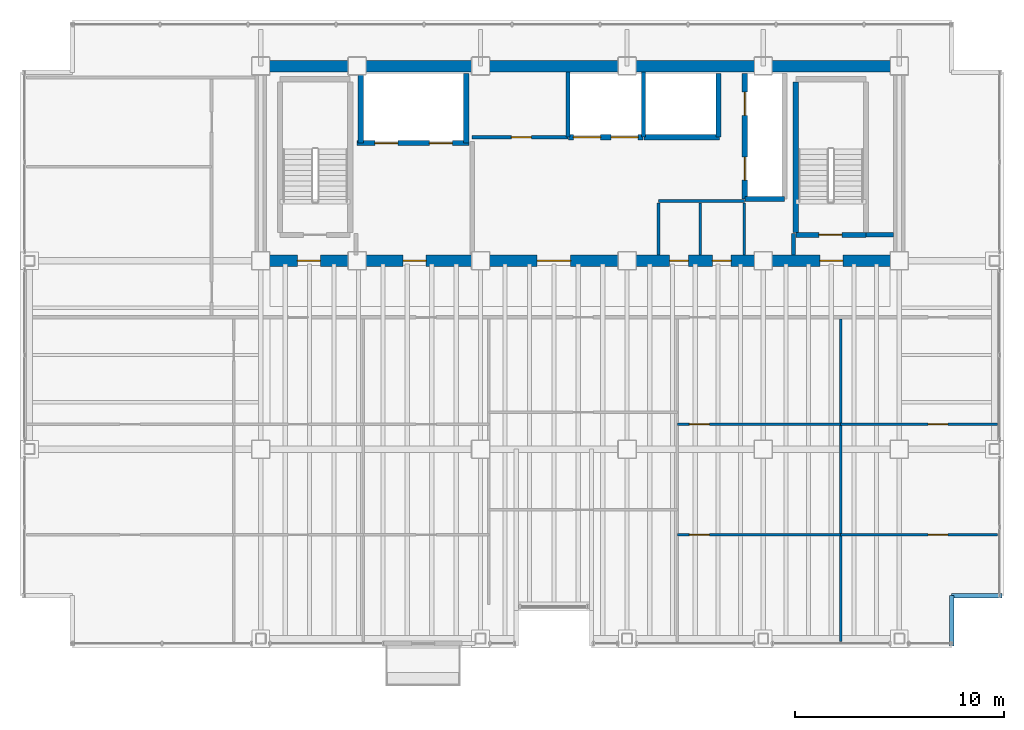
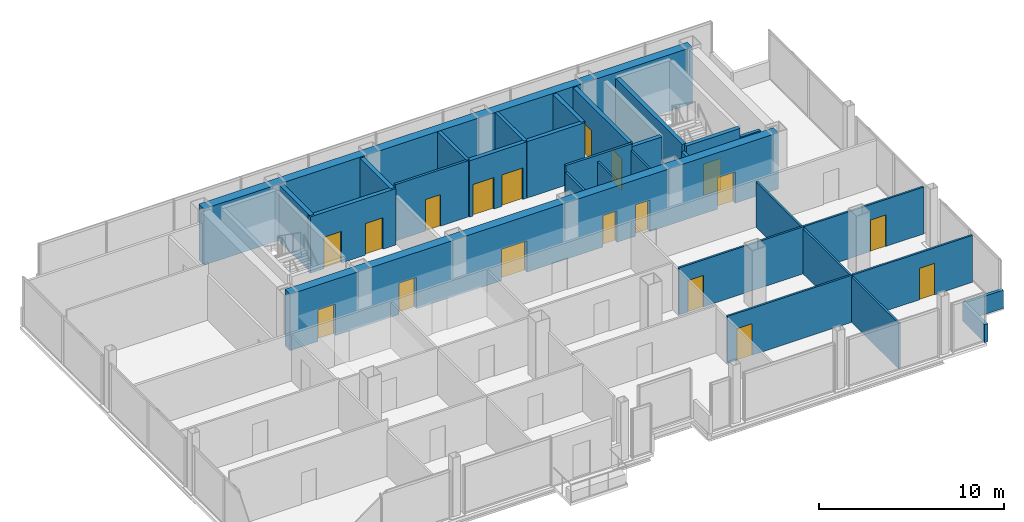
# One storey, part 20 of 22: 28 walls, 18 doors, 18 openings.
"""IFC4 building model written with IfcOpenShell, lengths in metres."""

from ifc_helpers import new_model, si_unit, direction, frame, frame_2d, origin, place, context, subcontext, project, spatial, rectangle, extrude, material, layer, layer_set, type_object, element, fill, save


model = new_model("IFC4")

# Units and contexts
model_context = context("Model", 3, precision=1e-05, world=origin(), true_north=direction((0.0, 1.0)))
body_context = subcontext(model_context, "Body", "Model", "MODEL_VIEW")
ifc_project = project(units=[si_unit("LENGTHUNIT", "METRE"), si_unit("AREAUNIT", "SQUARE_METRE"), si_unit("VOLUMEUNIT", "CUBIC_METRE"), si_unit("PLANEANGLEUNIT", "RADIAN"), si_unit("MASSUNIT", "GRAM", prefix="KILO")], contexts=[model_context])

# Site, building, storey
site_placement = place(None, origin())
site = spatial("IfcSite", under=ifc_project, at=site_placement, CompositionType="ELEMENT")
building_placement = place(site_placement, origin())
building = spatial("IfcBuilding", under=site, at=building_placement, Name="Noeulbin Bourse Tower", CompositionType="ELEMENT")
storey_placement = place(building_placement, frame((0.0, 0.0, 130.5)))
storey = spatial("IfcBuildingStorey", under=building, at=storey_placement, Name="L32", CompositionType="ELEMENT", Elevation=130.5)

# Wall, openings, doors
ifc_material_1 = material(Name="Concrete C60/75", Category="concrete")
ifc_layer_1 = layer(ifc_material_1, 0.550048828125)
ifc_layer_set_1 = layer_set([ifc_layer_1], Name="Concrete C60/75")
wall_type_1 = type_object("IfcWallType", Name="WAL-CORE-550", PredefinedType="SHEAR", material=ifc_layer_set_1)
wall_1_placement = place(storey_placement, frame((13.5, 29.0, 0.0), z_axis=(0.0, 0.0, 1.0), x_axis=(1.0, 0.0, 0.0)))
wall_1 = element("IfcWall", 1, at=wall_1_placement, inside=storey, type_object=wall_type_1, Name="Rear Core South Shear Wall L32", PredefinedType="SHEAR", context=body_context, shape_type="SweptSolid", body=[
    extrude(rectangle(XDim=30.5, YDim=0.550048828125, at=frame_2d((15.25, 0.0))), origin(), (0.0, 0.0, 1.0), 3.719970703125),
])
opening_1_placement = place(wall_1_placement, frame((1.75, 0.0, 0.0)))
opening_1 = element("IfcOpeningElement", 2, at=opening_1_placement, cuts=wall_1, Name="Opening FD-11", PredefinedType="OPENING", context=body_context, shape_type="SweptSolid", body=[
    extrude(rectangle(XDim=1.10009765625, YDim=2.080078125, at=frame_2d((0.550048828125, 1.0400390625))), frame((0.0, 0.284912109375, 0.0), z_axis=(0.0, -1.0, 0.0), x_axis=(1.0, 0.0, 0.0)), (0.0, 0.0, 1.0), 0.570068359375),
])
opening_2_placement = place(wall_1_placement, frame((26.699951171875, 0.0, 0.0)))
opening_2 = element("IfcOpeningElement", 3, at=opening_2_placement, cuts=wall_1, Name="Opening FD-11", PredefinedType="OPENING", context=body_context, shape_type="SweptSolid", body=[
    extrude(rectangle(XDim=1.10009765625, YDim=2.080078125, at=frame_2d((0.550048828125, 1.0400390625))), frame((0.0, 0.284912109375, 0.0), z_axis=(0.0, -1.0, 0.0), x_axis=(1.0, 0.0, 0.0)), (0.0, 0.0, 1.0), 0.570068359375),
])
opening_3_placement = place(wall_1_placement, frame((6.800048828125, 0.0, 0.0)))
opening_3 = element("IfcOpeningElement", 4, at=opening_3_placement, cuts=wall_1, Name="Opening FD-11", PredefinedType="OPENING", context=body_context, shape_type="SweptSolid", body=[
    extrude(rectangle(XDim=1.10009765625, YDim=2.080078125, at=frame_2d((0.550048828125, 1.0400390625))), frame((0.0, 0.284912109375, 0.0), z_axis=(0.0, -1.0, 0.0), x_axis=(1.0, 0.0, 0.0)), (0.0, 0.0, 1.0), 0.570068359375),
])
opening_4_placement = place(wall_1_placement, frame((13.199951171875, 0.0, 0.0)))
opening_4 = element("IfcOpeningElement", 5, at=opening_4_placement, cuts=wall_1, Name="Opening ID-16", PredefinedType="OPENING", context=body_context, shape_type="SweptSolid", body=[
    extrude(rectangle(XDim=1.60009765625, YDim=2.080078125, at=frame_2d((0.800048828125, 1.0400390625))), frame((0.0, 0.284912109375, 0.0), z_axis=(0.0, -1.0, 0.0), x_axis=(1.0, 0.0, 0.0)), (0.0, 0.0, 1.0), 0.570068359375),
])
opening_5_placement = place(wall_1_placement, frame((19.530029296875, 0.0, 0.0)))
opening_5 = element("IfcOpeningElement", 6, at=opening_5_placement, cuts=wall_1, Name="Opening FD-09", PredefinedType="OPENING", context=body_context, shape_type="SweptSolid", body=[
    extrude(rectangle(XDim=0.89990234375, YDim=2.080078125, at=frame_2d((0.449951171875, 1.0400390625))), frame((0.0, 0.284912109375, 0.0), z_axis=(0.0, -1.0, 0.0), x_axis=(1.0, 0.0, 0.0)), (0.0, 0.0, 1.0), 0.570068359375),
])
opening_6_placement = place(wall_1_placement, frame((21.570068359375, 0.0, 0.0)))
opening_6 = element("IfcOpeningElement", 7, at=opening_6_placement, cuts=wall_1, Name="Opening FD-09", PredefinedType="OPENING", context=body_context, shape_type="SweptSolid", body=[
    extrude(rectangle(XDim=0.89990234375, YDim=2.080078125, at=frame_2d((0.449951171875, 1.0400390625))), frame((0.0, 0.284912109375, 0.0), z_axis=(0.0, -1.0, 0.0), x_axis=(1.0, 0.0, 0.0)), (0.0, 0.0, 1.0), 0.570068359375),
])
ifc_material_2 = material(Name="Acoustic Glazed Aluminium", Category="aluminium")
door_type_1 = type_object("IfcDoorType", Name="DR-DBL-1600", OperationType="DOUBLE_DOOR_SINGLE_SWING", PredefinedType="DOOR", material=ifc_material_2)
door_1_placement = place(opening_4_placement, origin())
door_1 = element("IfcDoor", 8, at=door_1_placement, inside=storey, type_object=door_type_1, Name="Passenger Lift Lobby Portal L32", OperationType="DOUBLE_DOOR_SINGLE_SWING", OverallHeight=2.080078125, OverallWidth=1.60009765625, PredefinedType="DOOR", context=body_context, shape_type="SweptSolid", body=[
    extrude(rectangle(XDim=1.60009765625, YDim=2.080078125, at=frame_2d((0.800048828125, 1.0400390625))), frame((0.0, 0.02490234375, 0.0), z_axis=(0.0, -1.0, 0.0), x_axis=(1.0, 0.0, 0.0)), (0.0, 0.0, 1.0), 0.050048828125),
])
fill(opening_4, door_1)
ifc_material_3 = material(Name="Fire-Rated Timber Core", Category="wood")
door_type_2 = type_object("IfcDoorType", Name="DR-FD30-900", OperationType="SINGLE_SWING_RIGHT", PredefinedType="DOOR", material=ifc_material_3)
door_2_placement = place(opening_5_placement, origin())
door_2 = element("IfcDoor", 9, at=door_2_placement, inside=storey, type_object=door_type_2, Name="Interior Door L32-06", OperationType="SINGLE_SWING_LEFT", OverallHeight=2.080078125, OverallWidth=0.89990234375, PredefinedType="DOOR", context=body_context, shape_type="SweptSolid", body=[
    extrude(rectangle(XDim=0.89990234375, YDim=2.080078125, at=frame_2d((0.449951171875, 1.0400390625))), frame((0.0, 0.02490234375, 0.0), z_axis=(0.0, -1.0, 0.0), x_axis=(1.0, 0.0, 0.0)), (0.0, 0.0, 1.0), 0.050048828125),
])
fill(opening_5, door_2)
door_3_placement = place(opening_6_placement, origin())
door_3 = element("IfcDoor", 10, at=door_3_placement, inside=storey, type_object=door_type_2, Name="Interior Door L32-07", OperationType="SINGLE_SWING_RIGHT", OverallHeight=2.080078125, OverallWidth=0.89990234375, PredefinedType="DOOR", context=body_context, shape_type="SweptSolid", body=[
    extrude(rectangle(XDim=0.89990234375, YDim=2.080078125, at=frame_2d((0.449951171875, 1.0400390625))), frame((0.0, 0.02490234375, 0.0), z_axis=(0.0, -1.0, 0.0), x_axis=(1.0, 0.0, 0.0)), (0.0, 0.0, 1.0), 0.050048828125),
])
fill(opening_6, door_3)
ifc_material_4 = material(Name="Fire-Rated Insulated Steel", Category="steel")
door_type_3 = type_object("IfcDoorType", Name="DR-FD60-1100", OperationType="SINGLE_SWING_LEFT", PredefinedType="DOOR", material=ifc_material_4)
door_4_placement = place(opening_1_placement, origin())
door_4 = element("IfcDoor", 11, at=door_4_placement, inside=storey, type_object=door_type_3, Name="West Stair Lobby Door L32", OperationType="SINGLE_SWING_RIGHT", OverallHeight=2.080078125, OverallWidth=1.10009765625, PredefinedType="DOOR", context=body_context, shape_type="SweptSolid", body=[
    extrude(rectangle(XDim=1.10009765625, YDim=2.080078125, at=frame_2d((0.550048828125, 1.0400390625))), frame((0.0, 0.02490234375, 0.0), z_axis=(0.0, -1.0, 0.0), x_axis=(1.0, 0.0, 0.0)), (0.0, 0.0, 1.0), 0.050048828125),
])
fill(opening_1, door_4)
door_5_placement = place(opening_2_placement, origin())
door_5 = element("IfcDoor", 12, at=door_5_placement, inside=storey, type_object=door_type_3, Name="East Stair Lobby Door L32", OperationType="SINGLE_SWING_LEFT", OverallHeight=2.080078125, OverallWidth=1.10009765625, PredefinedType="DOOR", context=body_context, shape_type="SweptSolid", body=[
    extrude(rectangle(XDim=1.10009765625, YDim=2.080078125, at=frame_2d((0.550048828125, 1.0400390625))), frame((0.0, 0.02490234375, 0.0), z_axis=(0.0, -1.0, 0.0), x_axis=(1.0, 0.0, 0.0)), (0.0, 0.0, 1.0), 0.050048828125),
])
fill(opening_2, door_5)
door_6_placement = place(opening_3_placement, origin())
door_6 = element("IfcDoor", 13, at=door_6_placement, inside=storey, type_object=door_type_3, Name="Firefighting Lobby Door L32", OperationType="SINGLE_SWING_RIGHT", OverallHeight=2.080078125, OverallWidth=1.10009765625, PredefinedType="DOOR", context=body_context, shape_type="SweptSolid", body=[
    extrude(rectangle(XDim=1.10009765625, YDim=2.080078125, at=frame_2d((0.550048828125, 1.0400390625))), frame((0.0, 0.02490234375, 0.0), z_axis=(0.0, -1.0, 0.0), x_axis=(1.0, 0.0, 0.0)), (0.0, 0.0, 1.0), 0.050048828125),
])
fill(opening_3, door_6)

# Walls
wall_2_placement = place(storey_placement, frame((13.5, 38.300048828125, 0.0), z_axis=(0.0, 0.0, 1.0), x_axis=(1.0, 0.0, 0.0)))
element("IfcWall", 14, at=wall_2_placement, inside=storey, type_object=wall_type_1, Name="Rear Core North Shear Wall L32", PredefinedType="SHEAR", context=body_context, shape_type="SweptSolid", body=[
    extrude(rectangle(XDim=30.5, YDim=0.550048828125, at=frame_2d((15.25, 0.0))), origin(), (0.0, 0.0, 1.0), 3.719970703125),
])
ifc_material_5 = material(Name="Concrete C40/50", Category="concrete")
ifc_layer_2 = layer(ifc_material_5, 0.199951171875)
ifc_layer_set_2 = layer_set([ifc_layer_2], Name="Concrete C40/50")
wall_type_2 = type_object("IfcWallType", Name="WAL-FIRE-200", PredefinedType="STANDARD", material=ifc_layer_set_2)
wall_3_placement = place(storey_placement, frame((42.39990234375, 30.239990234375, 0.0), z_axis=(0.0, 0.0, 1.0), x_axis=(1.0, 0.0, 0.0)))
element("IfcWall", 15, at=wall_3_placement, inside=storey, type_object=wall_type_2, Name="Interior Partition Wall L32-01", PredefinedType="STANDARD", context=body_context, shape_type="SweptSolid", body=[
    extrude(rectangle(XDim=1.315185546875, YDim=0.199951171875, at=frame_2d((0.65771484375, 0.0))), origin(), (0.0, 0.0, 1.0), 3.10009765625),
])
wall_4_placement = place(storey_placement, frame((38.949951171875, 29.284912109375, 0.0), z_axis=(0.0, 0.0, 1.0), x_axis=(0.0, 1.0, 0.0)))
element("IfcWall", 16, at=wall_4_placement, inside=storey, type_object=wall_type_2, Name="Interior Partition Wall L32-20", PredefinedType="STANDARD", context=body_context, shape_type="SweptSolid", body=[
    extrude(rectangle(XDim=1.01513671875, YDim=0.199951171875, at=frame_2d((0.507568359375, 0.0))), origin(), (0.0, 0.0, 1.0), 3.300048828125),
])
ifc_layer_3 = layer(ifc_material_5, 0.199951171875)
ifc_layer_set_3 = layer_set([ifc_layer_3], Name="Concrete C40/50")
wall_type_3 = type_object("IfcWallType", Name="WAL-PAR-200", PredefinedType="PARAPET", material=ifc_layer_set_3)
for number, where, z_axis, x_axis, name in (
    (17, (46.5, 10.60009765625, 0.0), (0.0, 0.0, 1.0), (0.0, 1.0, 0.0), "Corner Notch Parapet L32-SE1"),
    (18, (46.5, 13.0, 0.0), (0.0, 0.0, 1.0), (1.0, 0.0, 0.0), "Corner Notch Parapet L32-SE2"),
):
    element("IfcWall", number, at=place(storey_placement, frame(where, z_axis=z_axis, x_axis=x_axis)), inside=storey, type_object=wall_type_3, Name=name, PredefinedType="PARAPET", context=body_context, shape_type="SweptSolid", body=[
        extrude(rectangle(XDim=2.39990234375, YDim=0.199951171875, at=frame_2d((1.199951171875, 0.0))), origin(), (0.0, 0.0, 1.0), 1.199951171875),
    ])

# Wall, opening, door
ifc_material_6 = material(Name="Steel Stud Gypsum Partition", Category="steel")
ifc_layer_4 = layer(ifc_material_6, 0.1201171875)
ifc_layer_set_4 = layer_set([ifc_layer_4], Name="Steel Stud Gypsum Partition")
wall_type_4 = type_object("IfcWallType", Name="WAL-PRT-120", PredefinedType="PARTITIONING", material=ifc_layer_set_4)
wall_5_placement = place(storey_placement, frame((33.39990234375, 21.18798828125, 0.0), z_axis=(0.0, 0.0, 1.0), x_axis=(1.0, 0.0, 0.0)))
wall_5 = element("IfcWall", 19, at=wall_5_placement, inside=storey, type_object=wall_type_4, Name="Interior Partition Wall L32-14", PredefinedType="PARTITIONING", context=body_context, shape_type="SweptSolid", body=[
    extrude(rectangle(XDim=7.800048828125, YDim=0.1201171875, at=frame_2d((3.89990234375, 0.0))), origin(), (0.0, 0.0, 1.0), 3.10009765625),
])
opening_7_placement = place(wall_5_placement, frame((0.574951171875, 0.0, 0.0)))
opening_7 = element("IfcOpeningElement", 20, at=opening_7_placement, cuts=wall_5, Name="Opening ID-09", PredefinedType="OPENING", context=body_context, shape_type="SweptSolid", body=[
    extrude(rectangle(XDim=0.949951171875, YDim=2.080078125, at=frame_2d((0.47509765625, 1.0400390625))), frame((0.0, 0.070068359375, 0.0), z_axis=(0.0, -1.0, 0.0), x_axis=(1.0, 0.0, 0.0)), (0.0, 0.0, 1.0), 0.14013671875),
])
ifc_material_7 = material(Name="Acoustic Solid-Core Timber", Category="wood")
door_type_4 = type_object("IfcDoorType", Name="DR-SINGLE-950", OperationType="SINGLE_SWING_LEFT", PredefinedType="DOOR", material=ifc_material_7)
door_7_placement = place(opening_7_placement, origin())
door_7 = element("IfcDoor", 21, at=door_7_placement, inside=storey, type_object=door_type_4, Name="Interior Door L32-20", OperationType="SINGLE_SWING_LEFT", OverallHeight=2.080078125, OverallWidth=0.949951171875, PredefinedType="DOOR", context=body_context, shape_type="SweptSolid", body=[
    extrude(rectangle(XDim=0.949951171875, YDim=2.080078125, at=frame_2d((0.47509765625, 1.0400390625))), frame((0.0, 0.02490234375, 0.0), z_axis=(0.0, -1.0, 0.0), x_axis=(1.0, 0.0, 0.0)), (0.0, 0.0, 1.0), 0.050048828125),
])
fill(opening_7, door_7)

wall_6_placement = place(storey_placement, frame((33.39990234375, 15.922119140625, 0.0), z_axis=(0.0, 0.0, 1.0), x_axis=(1.0, 0.0, 0.0)))
wall_6 = element("IfcWall", 22, at=wall_6_placement, inside=storey, type_object=wall_type_4, Name="Interior Partition Wall L32-15", PredefinedType="PARTITIONING", context=body_context, shape_type="SweptSolid", body=[
    extrude(rectangle(XDim=7.800048828125, YDim=0.1201171875, at=frame_2d((3.89990234375, 0.0))), origin(), (0.0, 0.0, 1.0), 3.10009765625),
])
opening_8_placement = place(wall_6_placement, frame((0.574951171875, 0.0, 0.0)))
opening_8 = element("IfcOpeningElement", 23, at=opening_8_placement, cuts=wall_6, Name="Opening ID-09", PredefinedType="OPENING", context=body_context, shape_type="SweptSolid", body=[
    extrude(rectangle(XDim=0.949951171875, YDim=2.080078125, at=frame_2d((0.47509765625, 1.0400390625))), frame((0.0, 0.070068359375, 0.0), z_axis=(0.0, -1.0, 0.0), x_axis=(1.0, 0.0, 0.0)), (0.0, 0.0, 1.0), 0.14013671875),
])
door_8_placement = place(opening_8_placement, origin())
door_8 = element("IfcDoor", 24, at=door_8_placement, inside=storey, type_object=door_type_4, Name="Interior Door L32-21", OperationType="SINGLE_SWING_RIGHT", OverallHeight=2.080078125, OverallWidth=0.949951171875, PredefinedType="DOOR", context=body_context, shape_type="SweptSolid", body=[
    extrude(rectangle(XDim=0.949951171875, YDim=2.080078125, at=frame_2d((0.47509765625, 1.0400390625))), frame((0.0, 0.02490234375, 0.0), z_axis=(0.0, -1.0, 0.0), x_axis=(1.0, 0.0, 0.0)), (0.0, 0.0, 1.0), 0.050048828125),
])
fill(opening_8, door_8)

wall_7_placement = place(storey_placement, frame((41.199951171875, 21.18798828125, 0.0), z_axis=(0.0, 0.0, 1.0), x_axis=(1.0, 0.0, 0.0)))
wall_7 = element("IfcWall", 25, at=wall_7_placement, inside=storey, type_object=wall_type_4, Name="Interior Partition Wall L32-16", PredefinedType="PARTITIONING", context=body_context, shape_type="SweptSolid", body=[
    extrude(rectangle(XDim=7.489990234375, YDim=0.1201171875, at=frame_2d((3.7451171875, 0.0))), origin(), (0.0, 0.0, 1.0), 3.10009765625),
])
opening_9_placement = place(wall_7_placement, frame((4.169921875, 0.0, 0.0)))
opening_9 = element("IfcOpeningElement", 26, at=opening_9_placement, cuts=wall_7, Name="Opening ID-09", PredefinedType="OPENING", context=body_context, shape_type="SweptSolid", body=[
    extrude(rectangle(XDim=0.949951171875, YDim=2.080078125, at=frame_2d((0.47509765625, 1.0400390625))), frame((0.0, 0.070068359375, 0.0), z_axis=(0.0, -1.0, 0.0), x_axis=(1.0, 0.0, 0.0)), (0.0, 0.0, 1.0), 0.14013671875),
])
door_9_placement = place(opening_9_placement, origin())
door_9 = element("IfcDoor", 27, at=door_9_placement, inside=storey, type_object=door_type_4, Name="Interior Door L32-23", OperationType="SINGLE_SWING_RIGHT", OverallHeight=2.080078125, OverallWidth=0.949951171875, PredefinedType="DOOR", context=body_context, shape_type="SweptSolid", body=[
    extrude(rectangle(XDim=0.949951171875, YDim=2.080078125, at=frame_2d((0.47509765625, 1.0400390625))), frame((0.0, 0.02490234375, 0.0), z_axis=(0.0, -1.0, 0.0), x_axis=(1.0, 0.0, 0.0)), (0.0, 0.0, 1.0), 0.050048828125),
])
fill(opening_9, door_9)

wall_8_placement = place(storey_placement, frame((41.199951171875, 15.922119140625, 0.0), z_axis=(0.0, 0.0, 1.0), x_axis=(1.0, 0.0, 0.0)))
wall_8 = element("IfcWall", 28, at=wall_8_placement, inside=storey, type_object=wall_type_4, Name="Interior Partition Wall L32-17", PredefinedType="PARTITIONING", context=body_context, shape_type="SweptSolid", body=[
    extrude(rectangle(XDim=7.489990234375, YDim=0.1201171875, at=frame_2d((3.7451171875, 0.0))), origin(), (0.0, 0.0, 1.0), 3.10009765625),
])
opening_10_placement = place(wall_8_placement, frame((4.169921875, 0.0, 0.0)))
opening_10 = element("IfcOpeningElement", 29, at=opening_10_placement, cuts=wall_8, Name="Opening ID-09", PredefinedType="OPENING", context=body_context, shape_type="SweptSolid", body=[
    extrude(rectangle(XDim=0.949951171875, YDim=2.080078125, at=frame_2d((0.47509765625, 1.0400390625))), frame((0.0, 0.070068359375, 0.0), z_axis=(0.0, -1.0, 0.0), x_axis=(1.0, 0.0, 0.0)), (0.0, 0.0, 1.0), 0.14013671875),
])
door_10_placement = place(opening_10_placement, origin())
door_10 = element("IfcDoor", 30, at=door_10_placement, inside=storey, type_object=door_type_4, Name="Interior Door L32-24", OperationType="SINGLE_SWING_LEFT", OverallHeight=2.080078125, OverallWidth=0.949951171875, PredefinedType="DOOR", context=body_context, shape_type="SweptSolid", body=[
    extrude(rectangle(XDim=0.949951171875, YDim=2.080078125, at=frame_2d((0.47509765625, 1.0400390625))), frame((0.0, 0.02490234375, 0.0), z_axis=(0.0, -1.0, 0.0), x_axis=(1.0, 0.0, 0.0)), (0.0, 0.0, 1.0), 0.050048828125),
])
fill(opening_10, door_10)

# Walls
for number, where, z_axis, x_axis, name in (
    (31, (36.60009765625, 29.284912109375, 0.0), (0.0, 0.0, 1.0), (0.0, 1.0, 0.0), "Interior Partition Wall L32-23"),
    (32, (34.5, 29.284912109375, 0.0), (0.0, 0.0, 1.0), (0.0, 1.0, 0.0), "Interior Partition Wall L32-24"),
):
    element("IfcWall", number, at=place(storey_placement, frame(where, z_axis=z_axis, x_axis=x_axis)), inside=storey, type_object=wall_type_4, Name=name, PredefinedType="PARTITIONING", context=body_context, shape_type="SweptSolid", body=[
        extrude(rectangle(XDim=2.47998046875, YDim=0.1201171875, at=frame_2d((1.239990234375, 0.0))), origin(), (0.0, 0.0, 1.0), 3.300048828125),
    ])
wall_9_placement = place(storey_placement, frame((41.199951171875, 10.81005859375, 0.0), z_axis=(0.0, 0.0, 1.0), x_axis=(0.0, 1.0, 0.0)))
element("IfcWall", 33, at=wall_9_placement, inside=storey, type_object=wall_type_4, Name="Interior Partition Wall L32-30", PredefinedType="PARTITIONING", context=body_context, shape_type="SweptSolid", body=[
    extrude(rectangle(XDim=15.405029296875, YDim=0.1201171875, at=frame_2d((7.70263671875, 0.0))), origin(), (0.0, 0.0, 1.0), 3.0),
])

# Wall, opening, door
ifc_material_8 = material(Name="Steel Stud Acoustic Gypsum Board", Category="steel")
ifc_layer_5 = layer(ifc_material_8, 0.14990234375)
ifc_layer_set_5 = layer_set([ifc_layer_5], Name="Steel Stud Acoustic Gypsum Board")
wall_type_5 = type_object("IfcWallType", Name="WAL-PRT-150", PredefinedType="PARTITIONING", material=ifc_layer_set_5)
wall_10_placement = place(storey_placement, frame((23.60009765625, 34.89990234375, 0.0), z_axis=(0.0, 0.0, 1.0), x_axis=(1.0, 0.0, 0.0)))
wall_10 = element("IfcWall", 34, at=wall_10_placement, inside=storey, type_object=wall_type_5, Name="Interior Partition Wall L32-02", PredefinedType="PARTITIONING", context=body_context, shape_type="SweptSolid", body=[
    extrude(rectangle(XDim=4.579833984375, YDim=0.14990234375, at=frame_2d((2.2900390625, 0.0))), origin(), (0.0, 0.0, 1.0), 3.719970703125),
])
opening_11_placement = place(wall_10_placement, frame((1.875, 0.0, 0.0)))
opening_11 = element("IfcOpeningElement", 35, at=opening_11_placement, cuts=wall_10, Name="Opening ID-09", PredefinedType="OPENING", context=body_context, shape_type="SweptSolid", body=[
    extrude(rectangle(XDim=0.949951171875, YDim=2.080078125, at=frame_2d((0.47509765625, 1.0400390625))), frame((0.0, 0.0849609375, 0.0), z_axis=(0.0, -1.0, 0.0), x_axis=(1.0, 0.0, 0.0)), (0.0, 0.0, 1.0), 0.169921875),
])
door_11_placement = place(opening_11_placement, origin())
door_11 = element("IfcDoor", 36, at=door_11_placement, inside=storey, type_object=door_type_4, Name="Archive Room Door L32", OperationType="SINGLE_SWING_RIGHT", OverallHeight=2.080078125, OverallWidth=0.949951171875, PredefinedType="DOOR", context=body_context, shape_type="SweptSolid", body=[
    extrude(rectangle(XDim=0.949951171875, YDim=2.080078125, at=frame_2d((0.47509765625, 1.0400390625))), frame((0.0, 0.02490234375, 0.0), z_axis=(0.0, -1.0, 0.0), x_axis=(1.0, 0.0, 0.0)), (0.0, 0.0, 1.0), 0.050048828125),
])
fill(opening_11, door_11)

# Walls
wall_11_placement = place(storey_placement, frame((32.5, 31.85009765625, 0.0), z_axis=(0.0, 0.0, 1.0), x_axis=(1.0, 0.0, 0.0)))
element("IfcWall", 37, at=wall_11_placement, inside=storey, type_object=wall_type_5, Name="Interior Partition Wall L32-03", PredefinedType="PARTITIONING", context=body_context, shape_type="SweptSolid", body=[
    extrude(rectangle(XDim=4.10009765625, YDim=0.14990234375, at=frame_2d((2.050048828125, 0.0))), origin(), (0.0, 0.0, 1.0), 3.719970703125),
])
wall_12_placement = place(storey_placement, frame((32.5, 29.284912109375, 0.0), z_axis=(0.0, 0.0, 1.0), x_axis=(0.0, 1.0, 0.0)))
element("IfcWall", 38, at=wall_12_placement, inside=storey, type_object=wall_type_5, Name="Interior Partition Wall L32-22", PredefinedType="PARTITIONING", context=body_context, shape_type="SweptSolid", body=[
    extrude(rectangle(XDim=2.47998046875, YDim=0.14990234375, at=frame_2d((1.239990234375, 0.0))), origin(), (0.0, 0.0, 1.0), 3.300048828125),
])

# Wall, opening, door
ifc_layer_6 = layer(ifc_material_5, 0.25)
ifc_layer_set_6 = layer_set([ifc_layer_6], Name="Concrete C40/50")
wall_type_6 = type_object("IfcWallType", Name="WAL-SHFT-250", PredefinedType="STANDARD", material=ifc_layer_set_6)
wall_13_placement = place(storey_placement, frame((39.06005859375, 30.235107421875, 0.0), z_axis=(0.0, 0.0, 1.0), x_axis=(1.0, 0.0, 0.0)))
wall_13 = element("IfcWall", 39, at=wall_13_placement, inside=storey, type_object=wall_type_6, Name="Stair ST-2 South Shaft Wall L32", PredefinedType="STANDARD", context=body_context, shape_type="SweptSolid", body=[
    extrude(rectangle(XDim=3.33984375, YDim=0.25, at=frame_2d((1.669921875, 0.0))), origin(), (0.0, 0.0, 1.0), 3.719970703125),
])
opening_12_placement = place(wall_13_placement, frame((1.10009765625, 0.0, 0.0)))
opening_12 = element("IfcOpeningElement", 40, at=opening_12_placement, cuts=wall_13, Name="Opening FD-11", PredefinedType="OPENING", context=body_context, shape_type="SweptSolid", body=[
    extrude(rectangle(XDim=1.10009765625, YDim=2.080078125, at=frame_2d((0.550048828125, 1.0400390625))), frame((0.0, 0.135009765625, 0.0), z_axis=(0.0, -1.0, 0.0), x_axis=(1.0, 0.0, 0.0)), (0.0, 0.0, 1.0), 0.27001953125),
])
door_12_placement = place(opening_12_placement, origin())
door_12 = element("IfcDoor", 41, at=door_12_placement, inside=storey, type_object=door_type_3, Name="Protected Stair Entry Door ST2-L32", OperationType="SINGLE_SWING_LEFT", OverallHeight=2.080078125, OverallWidth=1.10009765625, PredefinedType="DOOR", context=body_context, shape_type="SweptSolid", body=[
    extrude(rectangle(XDim=1.10009765625, YDim=2.080078125, at=frame_2d((0.550048828125, 1.0400390625))), frame((0.0, 0.02490234375, 0.0), z_axis=(0.0, -1.0, 0.0), x_axis=(1.0, 0.0, 0.0)), (0.0, 0.0, 1.0), 0.050048828125),
])
fill(opening_12, door_12)

# Wall
wall_14_placement = place(storey_placement, frame((39.054931640625, 30.360107421875, 0.0), z_axis=(0.0, 0.0, 1.0), x_axis=(0.0, 1.0, 0.0)))
element("IfcWall", 42, at=wall_14_placement, inside=storey, type_object=wall_type_6, Name="Stair ST-2 West Shaft Wall L32", PredefinedType="STANDARD", context=body_context, shape_type="SweptSolid", body=[
    extrude(rectangle(XDim=7.183837890625, YDim=0.25, at=frame_2d((3.591796875, 0.0))), origin(), (0.0, 0.0, 1.0), 3.719970703125),
])

# Wall, openings, doors
wall_15_placement = place(storey_placement, frame((18.10009765625, 34.6201171875, 0.0), z_axis=(0.0, 0.0, 1.0), x_axis=(1.0, 0.0, 0.0)))
wall_15 = element("IfcWall", 43, at=wall_15_placement, inside=storey, type_object=wall_type_6, Name="Firefighting Lift Shaft Front L32", PredefinedType="STANDARD", context=body_context, shape_type="SweptSolid", body=[
    extrude(rectangle(XDim=5.349853515625, YDim=0.25, at=frame_2d((2.6748046875, 0.0))), origin(), (0.0, 0.0, 1.0), 3.719970703125),
])
opening_13_placement = place(wall_15_placement, frame((0.85009765625, 0.0, 0.0)))
opening_13 = element("IfcOpeningElement", 44, at=opening_13_placement, cuts=wall_15, Name="Opening LD-11", PredefinedType="OPENING", context=body_context, shape_type="SweptSolid", body=[
    extrude(rectangle(XDim=1.10009765625, YDim=2.080078125, at=frame_2d((0.550048828125, 1.0400390625))), frame((0.0, 0.135009765625, 0.0), z_axis=(0.0, -1.0, 0.0), x_axis=(1.0, 0.0, 0.0)), (0.0, 0.0, 1.0), 0.27001953125),
])
opening_14_placement = place(wall_15_placement, frame((3.449951171875, 0.0, 0.0)))
opening_14 = element("IfcOpeningElement", 45, at=opening_14_placement, cuts=wall_15, Name="Opening LD-11", PredefinedType="OPENING", context=body_context, shape_type="SweptSolid", body=[
    extrude(rectangle(XDim=1.10009765625, YDim=2.080078125, at=frame_2d((0.550048828125, 1.0400390625))), frame((0.0, 0.135009765625, 0.0), z_axis=(0.0, -1.0, 0.0), x_axis=(1.0, 0.0, 0.0)), (0.0, 0.0, 1.0), 0.27001953125),
])
ifc_material_9 = material(Name="Brushed Stainless Steel 316", Category="steel")
door_type_5 = type_object("IfcDoorType", Name="DR-LIFT-1100", OperationType="SLIDING_TO_LEFT", PredefinedType="DOOR", material=ifc_material_9)
door_13_placement = place(opening_13_placement, origin())
door_13 = element("IfcDoor", 46, at=door_13_placement, inside=storey, type_object=door_type_5, Name="Lift Landing Door LD-FL-01-L32", OperationType="SLIDING_TO_LEFT", OverallHeight=2.080078125, OverallWidth=1.10009765625, PredefinedType="DOOR", context=body_context, shape_type="SweptSolid", body=[
    extrude(rectangle(XDim=1.10009765625, YDim=2.080078125, at=frame_2d((0.550048828125, 1.0400390625))), frame((0.0, 0.02490234375, 0.0), z_axis=(0.0, -1.0, 0.0), x_axis=(1.0, 0.0, 0.0)), (0.0, 0.0, 1.0), 0.050048828125),
])
fill(opening_13, door_13)
door_14_placement = place(opening_14_placement, origin())
door_14 = element("IfcDoor", 47, at=door_14_placement, inside=storey, type_object=door_type_5, Name="Lift Landing Door LD-FL-02-L32", OperationType="SLIDING_TO_LEFT", OverallHeight=2.080078125, OverallWidth=1.10009765625, PredefinedType="DOOR", context=body_context, shape_type="SweptSolid", body=[
    extrude(rectangle(XDim=1.10009765625, YDim=2.080078125, at=frame_2d((0.550048828125, 1.0400390625))), frame((0.0, 0.02490234375, 0.0), z_axis=(0.0, -1.0, 0.0), x_axis=(1.0, 0.0, 0.0)), (0.0, 0.0, 1.0), 0.050048828125),
])
fill(opening_14, door_14)

wall_16_placement = place(storey_placement, frame((36.6201171875, 31.949951171875, 0.0), z_axis=(0.0, 0.0, 1.0), x_axis=(0.0, 1.0, 0.0)))
wall_16 = element("IfcWall", 48, at=wall_16_placement, inside=storey, type_object=wall_type_6, Name="Service Lift Shaft Wall L32", PredefinedType="STANDARD", context=body_context, shape_type="SweptSolid", body=[
    extrude(rectangle(XDim=6.0, YDim=0.25, at=frame_2d((3.0, 0.0))), origin(), (0.0, 0.0, 1.0), 3.719970703125),
])
opening_15_placement = place(wall_16_placement, frame((0.89990234375, 0.0, 0.0)))
opening_15 = element("IfcOpeningElement", 49, at=opening_15_placement, cuts=wall_16, Name="Opening LD-11", PredefinedType="OPENING", context=body_context, shape_type="SweptSolid", body=[
    extrude(rectangle(XDim=1.10009765625, YDim=2.080078125, at=frame_2d((0.550048828125, 1.0400390625))), frame((0.0, 0.135009765625, 0.0), z_axis=(0.0, -1.0, 0.0), x_axis=(1.0, 0.0, 0.0)), (0.0, 0.0, 1.0), 0.27001953125),
])
opening_16_placement = place(wall_16_placement, frame((4.0, 0.0, 0.0)))
opening_16 = element("IfcOpeningElement", 50, at=opening_16_placement, cuts=wall_16, Name="Opening LD-11", PredefinedType="OPENING", context=body_context, shape_type="SweptSolid", body=[
    extrude(rectangle(XDim=1.10009765625, YDim=2.080078125, at=frame_2d((0.550048828125, 1.0400390625))), frame((0.0, 0.135009765625, 0.0), z_axis=(0.0, -1.0, 0.0), x_axis=(1.0, 0.0, 0.0)), (0.0, 0.0, 1.0), 0.27001953125),
])
door_15_placement = place(opening_15_placement, origin())
door_15 = element("IfcDoor", 51, at=door_15_placement, inside=storey, type_object=door_type_5, Name="Lift Landing Door LD-EL-01-L32", OperationType="SLIDING_TO_LEFT", OverallHeight=2.080078125, OverallWidth=1.10009765625, PredefinedType="DOOR", context=body_context, shape_type="SweptSolid", body=[
    extrude(rectangle(XDim=1.10009765625, YDim=2.080078125, at=frame_2d((0.550048828125, 1.0400390625))), frame((0.0, 0.02490234375, 0.0), z_axis=(0.0, -1.0, 0.0), x_axis=(1.0, 0.0, 0.0)), (0.0, 0.0, 1.0), 0.050048828125),
])
fill(opening_15, door_15)
door_16_placement = place(opening_16_placement, origin())
door_16 = element("IfcDoor", 52, at=door_16_placement, inside=storey, type_object=door_type_5, Name="Lift Landing Door LD-SV-01-L32", OperationType="SLIDING_TO_LEFT", OverallHeight=2.080078125, OverallWidth=1.10009765625, PredefinedType="DOOR", context=body_context, shape_type="SweptSolid", body=[
    extrude(rectangle(XDim=1.10009765625, YDim=2.080078125, at=frame_2d((0.550048828125, 1.0400390625))), frame((0.0, 0.02490234375, 0.0), z_axis=(0.0, -1.0, 0.0), x_axis=(1.0, 0.0, 0.0)), (0.0, 0.0, 1.0), 0.050048828125),
])
fill(opening_16, door_16)

# Walls
wall_17_placement = place(storey_placement, frame((36.6201171875, 31.949951171875, 0.0), z_axis=(0.0, 0.0, 1.0), x_axis=(1.0, 0.0, 0.0)))
element("IfcWall", 53, at=wall_17_placement, inside=storey, type_object=wall_type_6, Name="Service Lift South Shaft Wall L32", PredefinedType="STANDARD", context=body_context, shape_type="SweptSolid", body=[
    extrude(rectangle(XDim=1.89990234375, YDim=0.25, at=frame_2d((0.949951171875, 0.0))), origin(), (0.0, 0.0, 1.0), 3.47998046875),
])
for number, where, z_axis, x_axis, name in (
    (54, (18.280029296875, 34.6201171875, 0.0), (0.0, 0.0, 1.0), (0.0, 1.0, 0.0), "Firefighting Lift West Shaft Wall L32"),
    (55, (23.320068359375, 34.6201171875, 0.0), (0.0, 0.0, 1.0), (0.0, 1.0, 0.0), "Firefighting Lift East Shaft Wall L32"),
):
    element("IfcWall", number, at=place(storey_placement, frame(where, z_axis=z_axis, x_axis=x_axis)), inside=storey, type_object=wall_type_6, Name=name, PredefinedType="STANDARD", context=body_context, shape_type="SweptSolid", body=[
        extrude(rectangle(XDim=3.329833984375, YDim=0.25, at=frame_2d((1.6650390625, 0.0))), origin(), (0.0, 0.0, 1.0), 3.719970703125),
    ])
wall_18_placement = place(storey_placement, frame((35.360107421875, 34.89990234375, 0.0), z_axis=(0.0, 0.0, 1.0), x_axis=(0.0, 1.0, 0.0)))
element("IfcWall", 56, at=wall_18_placement, inside=storey, type_object=wall_type_6, Name="High-Rise Lift East Shaft Wall L32", PredefinedType="STANDARD", context=body_context, shape_type="SweptSolid", body=[
    extrude(rectangle(XDim=3.050048828125, YDim=0.25, at=frame_2d((1.52490234375, 0.0))), origin(), (0.0, 0.0, 1.0), 3.719970703125),
])

# Wall, openings, doors
wall_19_placement = place(storey_placement, frame((28.199951171875, 34.89990234375, 0.0), z_axis=(0.0, 0.0, 1.0), x_axis=(1.0, 0.0, 0.0)))
wall_19 = element("IfcWall", 57, at=wall_19_placement, inside=storey, type_object=wall_type_6, Name="Mid-Rise Lift Bank Front L32", PredefinedType="STANDARD", context=body_context, shape_type="SweptSolid", body=[
    extrude(rectangle(XDim=3.550048828125, YDim=0.25, at=frame_2d((1.77490234375, 0.0))), origin(), (0.0, 0.0, 1.0), 3.719970703125),
])
opening_17_placement = place(wall_19_placement, frame((0.22998046875, 0.0, 0.0)))
opening_17 = element("IfcOpeningElement", 58, at=opening_17_placement, cuts=wall_19, Name="Opening LD-13", PredefinedType="OPENING", context=body_context, shape_type="SweptSolid", body=[
    extrude(rectangle(XDim=1.300048828125, YDim=2.080078125, at=frame_2d((0.64990234375, 1.0400390625))), frame((0.0, 0.135009765625, 0.0), z_axis=(0.0, -1.0, 0.0), x_axis=(1.0, 0.0, 0.0)), (0.0, 0.0, 1.0), 0.27001953125),
])
opening_18_placement = place(wall_19_placement, frame((2.030029296875, 0.0, 0.0)))
opening_18 = element("IfcOpeningElement", 59, at=opening_18_placement, cuts=wall_19, Name="Opening LD-13", PredefinedType="OPENING", context=body_context, shape_type="SweptSolid", body=[
    extrude(rectangle(XDim=1.300048828125, YDim=2.080078125, at=frame_2d((0.64990234375, 1.0400390625))), frame((0.0, 0.135009765625, 0.0), z_axis=(0.0, -1.0, 0.0), x_axis=(1.0, 0.0, 0.0)), (0.0, 0.0, 1.0), 0.27001953125),
])
door_type_6 = type_object("IfcDoorType", Name="DR-LIFT-1300", OperationType="DOUBLE_DOOR_SLIDING", PredefinedType="DOOR", material=ifc_material_9)
door_17_placement = place(opening_17_placement, origin())
door_17 = element("IfcDoor", 60, at=door_17_placement, inside=storey, type_object=door_type_6, Name="Lift Landing Door LD-PL-M1-L32", OperationType="DOUBLE_DOOR_SLIDING", OverallHeight=2.080078125, OverallWidth=1.300048828125, PredefinedType="DOOR", context=body_context, shape_type="SweptSolid", body=[
    extrude(rectangle(XDim=1.300048828125, YDim=2.080078125, at=frame_2d((0.64990234375, 1.0400390625))), frame((0.0, 0.02490234375, 0.0), z_axis=(0.0, -1.0, 0.0), x_axis=(1.0, 0.0, 0.0)), (0.0, 0.0, 1.0), 0.050048828125),
])
fill(opening_17, door_17)
door_18_placement = place(opening_18_placement, origin())
door_18 = element("IfcDoor", 61, at=door_18_placement, inside=storey, type_object=door_type_6, Name="Lift Landing Door LD-PL-M2-L32", OperationType="DOUBLE_DOOR_SLIDING", OverallHeight=2.080078125, OverallWidth=1.300048828125, PredefinedType="DOOR", context=body_context, shape_type="SweptSolid", body=[
    extrude(rectangle(XDim=1.300048828125, YDim=2.080078125, at=frame_2d((0.64990234375, 1.0400390625))), frame((0.0, 0.02490234375, 0.0), z_axis=(0.0, -1.0, 0.0), x_axis=(1.0, 0.0, 0.0)), (0.0, 0.0, 1.0), 0.050048828125),
])
fill(opening_18, door_18)

# Walls
wall_20_placement = place(storey_placement, frame((31.800048828125, 34.89990234375, 0.0), z_axis=(0.0, 0.0, 1.0), x_axis=(1.0, 0.0, 0.0)))
element("IfcWall", 62, at=wall_20_placement, inside=storey, type_object=wall_type_6, Name="High-Rise Lift Bank Front L32", PredefinedType="STANDARD", context=body_context, shape_type="SweptSolid", body=[
    extrude(rectangle(XDim=3.599853515625, YDim=0.25, at=frame_2d((1.7998046875, 0.0))), origin(), (0.0, 0.0, 1.0), 3.719970703125),
])
for number, where, z_axis, x_axis, name in (
    (63, (28.179931640625, 34.89990234375, 0.0), (0.0, 0.0, 1.0), (0.0, 1.0, 0.0), "Hoistway Side Shaft Wall L32-PLMW"),
    (64, (31.780029296875, 34.89990234375, 0.0), (0.0, 0.0, 1.0), (0.0, 1.0, 0.0), "Hoistway Side Shaft Wall L32-PLHW"),
):
    element("IfcWall", number, at=place(storey_placement, frame(where, z_axis=z_axis, x_axis=x_axis)), inside=storey, type_object=wall_type_6, Name=name, PredefinedType="STANDARD", context=body_context, shape_type="SweptSolid", body=[
        extrude(rectangle(XDim=3.1201171875, YDim=0.199951171875, at=frame_2d((1.56005859375, 0.0))), origin(), (0.0, 0.0, 1.0), 3.719970703125),
    ])

save(model, "model.ifc")
